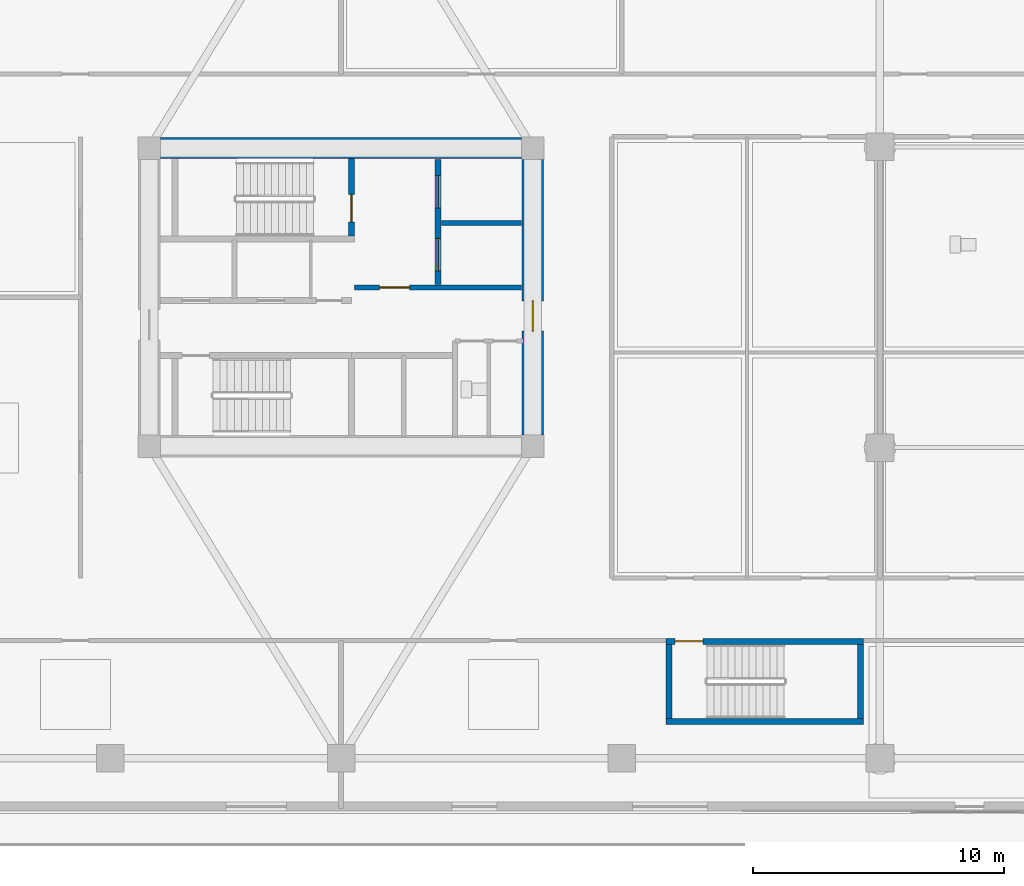
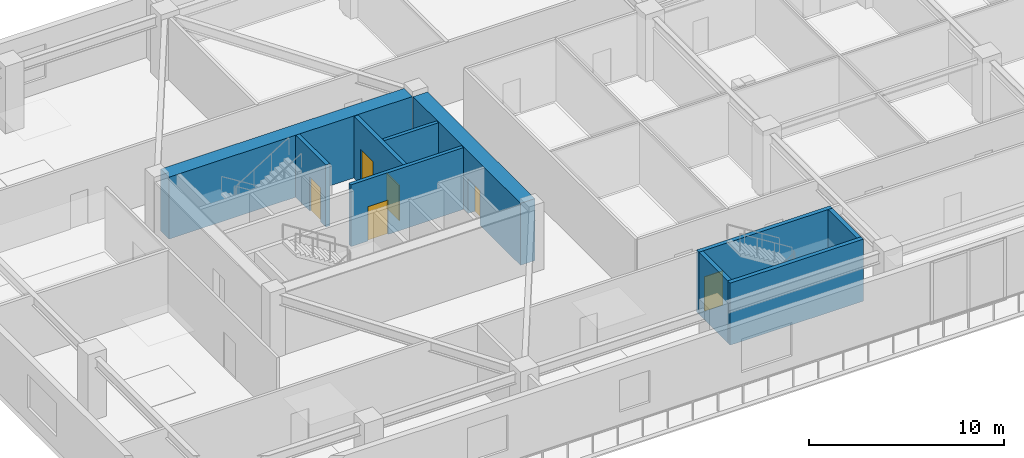
# One storey, part 5 of 22: 10 walls, 6 doors, 6 openings.
"""IFC4 building model written with IfcOpenShell, lengths in metres."""

import ifcopenshell
import ifcopenshell.guid

model = None  # the IFC model being written
_history = None  # IfcOwnerHistory: only IFC2X3 demands one
_inside = {}  # id of a spatial element -> (the spatial element, [elements in it])
_under = {}  # id of a project, library or spatial element -> (it, [spatial elements below it])
_declared = {}  # id of a project -> (the project, [libraries it declares])
_typed = {}  # id of a type object -> (the type object, [elements of that type])
_made_of = {}  # id of a material, layer set ... -> (it, [elements and type objects made of it])


def new_model(schema):
    """Start an empty IFC model of exactly this schema.

    Asked for "IFC4X3", IfcOpenShell would pick the latest addendum, in which some entities
    have other attributes; the version numbers below select the first issue.
    IFC2X3 requires an IfcOwnerHistory on every rooted entity: one is made here for all.
    """
    global model, _history
    if schema == "IFC4X3":
        model = ifcopenshell.file(schema_version=(4, 3, 0, 0))
    else:
        model = ifcopenshell.file(schema=schema)
    _inside.clear()
    _under.clear()
    _declared.clear()
    _typed.clear()
    _made_of.clear()
    _history = None
    if model.schema == "IFC2X3":
        org = make("IfcOrganization", Name="unknown")
        user = make(
            "IfcPersonAndOrganization",
            ThePerson=make("IfcPerson", FamilyName="unknown"),
            TheOrganization=org,
        )
        app = make(
            "IfcApplication",
            ApplicationDeveloper=org,
            Version="unknown",
            ApplicationFullName="unknown",
            ApplicationIdentifier="unknown",
        )
        _history = make(
            "IfcOwnerHistory",
            OwningUser=user,
            OwningApplication=app,
            ChangeAction="ADDED",
            CreationDate=0,
        )
    return model


def make(cls, **values):
    """One entity of the class cls with the attributes given. An attribute that is None is left unset."""
    return model.create_entity(
        cls, **{name: value for name, value in values.items() if value is not None}
    )


def rooted(cls, **values):
    """An entity with a GlobalId (a new one), such as an element, a storey or a relation."""
    return make(cls, GlobalId=ifcopenshell.guid.new(), OwnerHistory=_history, **values)


def si_unit(unit_type, name, prefix=None):
    """IfcSIUnit, for example si_unit("LENGTHUNIT", "METRE", prefix="MILLI")."""
    return make("IfcSIUnit", UnitType=unit_type, Prefix=prefix, Name=name)


def assignment(units):
    """IfcUnitAssignment: the units of a project."""
    return None if units is None else make("IfcUnitAssignment", Units=units)


def point(xyz):
    """IfcCartesianPoint."""
    return None if xyz is None else make("IfcCartesianPoint", Coordinates=xyz)


def direction(xyz):
    """IfcDirection."""
    return None if xyz is None else make("IfcDirection", DirectionRatios=xyz)


def frame(location, z_axis=None, x_axis=None):
    """IfcAxis2Placement3D, a coordinate frame: its origin and axes. An axis left out is left unset."""
    return make(
        "IfcAxis2Placement3D",
        Location=point(location),
        Axis=direction(z_axis),
        RefDirection=direction(x_axis),
    )


def frame_2d(location, x_axis=None):
    """IfcAxis2Placement2D, a coordinate frame in the plane: its origin and x axis."""
    return make(
        "IfcAxis2Placement2D", Location=point(location), RefDirection=direction(x_axis)
    )


def origin():
    """The frame at (0, 0, 0) with its axes left unset."""
    return frame((0.0, 0.0, 0.0))


def place(relative_to, where):
    """IfcLocalPlacement: puts the frame where relative to a parent placement (None: the world)."""
    return make(
        "IfcLocalPlacement", PlacementRelTo=relative_to, RelativePlacement=where
    )


def context(
    kind, dimensions, precision=None, world=None, true_north=None, identifier=None
):
    """IfcGeometricRepresentationContext, for example the 3D "Model" context."""
    return make(
        "IfcGeometricRepresentationContext",
        ContextIdentifier=identifier,
        ContextType=kind,
        CoordinateSpaceDimension=dimensions,
        Precision=precision,
        WorldCoordinateSystem=world,
        TrueNorth=true_north,
    )


def subcontext(parent, identifier, kind, view, scale=None):
    """IfcGeometricRepresentationSubContext, for example "Body" below "Model"."""
    return make(
        "IfcGeometricRepresentationSubContext",
        ContextIdentifier=identifier,
        ContextType=kind,
        ParentContext=parent,
        TargetScale=scale,
        TargetView=view,
    )


def project(units=None, contexts=None):
    """IfcProject with its units and contexts."""
    return rooted(
        "IfcProject",
        Name="project",
        RepresentationContexts=contexts,
        UnitsInContext=assignment(units),
    )


def spatial(cls, under=None, at=None, **own):
    """A site, building, storey or space (cls), placed at a placement, below another one or the project."""
    s = rooted(cls, ObjectPlacement=at, **own)
    if under is not None:
        _under.setdefault(under.id(), (under, []))[1].append(s)
    return s


def profile(cls, at=None, kind="AREA", **sizes):
    """A parametric profile (cls). Its sizes go by their IFC names, for example OverallWidth=200.0."""
    return make(cls, ProfileType=kind, Position=at, **sizes)


def rectangle(**sizes):
    """IfcRectangleProfileDef."""
    return profile("IfcRectangleProfileDef", **sizes)


def extrude(swept, where, along, depth):
    """IfcExtrudedAreaSolid: the profile swept, set in the frame where, extruded along a direction by depth."""
    return make(
        "IfcExtrudedAreaSolid",
        SweptArea=swept,
        Position=where,
        ExtrudedDirection=direction(along),
        Depth=depth,
    )


def shape(context_of_items, identifier, shape_type, items):
    """IfcShapeRepresentation: the items that make up one representation, for example the "Body"."""
    return make(
        "IfcShapeRepresentation",
        ContextOfItems=context_of_items,
        RepresentationIdentifier=identifier,
        RepresentationType=shape_type,
        Items=items,
    )


def source(mapping_origin, context_of_items, identifier, shape_type, items):
    """IfcRepresentationMap: a shape defined once, which mapped items show again and again."""
    return make(
        "IfcRepresentationMap",
        MappingOrigin=mapping_origin,
        MappedRepresentation=shape(context_of_items, identifier, shape_type, items),
    )


def transform(
    local_origin,
    x_axis=None,
    y_axis=None,
    z_axis=None,
    scale=None,
    scale2=None,
    scale3=None,
    uniform=True,
):
    """IfcCartesianTransformationOperator3D, or its non-uniform kind. x_axis, y_axis, z_axis: its Axis1, 2, 3."""
    if uniform:
        return make(
            "IfcCartesianTransformationOperator3D",
            Axis1=direction(x_axis),
            Axis2=direction(y_axis),
            LocalOrigin=point(local_origin),
            Scale=scale,
            Axis3=direction(z_axis),
        )
    return make(
        "IfcCartesianTransformationOperator3DnonUniform",
        Axis1=direction(x_axis),
        Axis2=direction(y_axis),
        LocalOrigin=point(local_origin),
        Scale=scale,
        Axis3=direction(z_axis),
        Scale2=scale2,
        Scale3=scale3,
    )


def mapped(mapping_source, mapping_target):
    """IfcMappedItem: shows the shape of a source again, moved by a transform."""
    return make(
        "IfcMappedItem", MappingSource=mapping_source, MappingTarget=mapping_target
    )


def material(Name=None, Category=None):
    """IfcMaterial."""
    return make("IfcMaterial", Name=Name, Category=Category)


def layer(
    of_material, thickness, ventilated=None, Name=None, Category=None, Priority=None
):
    """IfcMaterialLayer: one layer of a wall or slab, of a material (None: an air gap)."""
    return make(
        "IfcMaterialLayer",
        Material=of_material,
        LayerThickness=thickness,
        IsVentilated=ventilated,
        Name=Name,
        Category=Category,
        Priority=Priority,
    )


def layer_set(layers, Name=None):
    """IfcMaterialLayerSet."""
    return make("IfcMaterialLayerSet", MaterialLayers=layers, LayerSetName=Name)


def made_of(thing, what):
    """Note that an element or type object is made of a material, layer set ...; save() writes the relation."""
    if what is not None:
        _made_of.setdefault(what.id(), (what, []))[1].append(thing)
    return thing


def type_object(cls, material=None, **own):
    """A type object (cls), such as IfcWallType, which elements share."""
    return made_of(rooted(cls, **own), material)


def type_shapes(of_type, sources):
    """Give a type object the sources (RepresentationMaps) that its elements show as mapped items."""
    of_type.RepresentationMaps = sources


def element(
    cls,
    number,
    at=None,
    inside=None,
    cuts=None,
    type_object=None,
    material=None,
    context=None,
    identifier="Body",
    shape_type=None,
    held_by="IfcProductDefinitionShape",
    body=None,
    shapes=None,
    **own,
):
    """One element of the class cls, such as IfcWall. Its Tag is "e" and its number.

    at: its placement. inside: the storey or other place that contains it. cuts: it is an
    opening in that element (IfcRelVoidsElement). A single representation is given by context,
    identifier, shape_type and body (its items); several are given by shapes. held_by: the class
    of the entity that holds the representations. save() writes the other relations.
    """
    e = rooted(cls, Tag="e%d" % number, ObjectPlacement=at, **own)
    if body is not None:
        shapes = [shape(context, identifier, shape_type, body)]
    if shapes is not None:
        e.Representation = make(held_by, Representations=shapes)
    if inside is not None:
        _inside.setdefault(inside.id(), (inside, []))[1].append(e)
    if cuts is not None:
        rooted(
            "IfcRelVoidsElement", RelatingBuildingElement=cuts, RelatedOpeningElement=e
        )
    if type_object is not None:
        _typed.setdefault(type_object.id(), (type_object, []))[1].append(e)
    return made_of(e, material)


def fill(opening, filler):
    """IfcRelFillsElement: the door or window that sits in an opening."""
    return rooted(
        "IfcRelFillsElement",
        RelatingOpeningElement=opening,
        RelatedBuildingElement=filler,
    )


def aggregate(whole, parts):
    """IfcRelAggregates: a whole, such as a stair, and the parts it consists of."""
    return rooted("IfcRelAggregates", RelatingObject=whole, RelatedObjects=parts)


def save(model, path):
    """Write the relations noted so far, then the file.

    IfcRelAggregates (storeys below a building ...), IfcRelContainedInSpatialStructure (elements
    in a storey), IfcRelDefinesByType, IfcRelAssociatesMaterial and IfcRelDeclares: one each for
    every whole, place, type object, material and project.
    """
    for whole, parts in _under.values():
        aggregate(whole, parts)
    for where, things in _inside.values():
        rooted(
            "IfcRelContainedInSpatialStructure",
            RelatedElements=things,
            RelatingStructure=where,
        )
    for kind, things in _typed.values():
        rooted("IfcRelDefinesByType", RelatedObjects=things, RelatingType=kind)
    for what, things in _made_of.values():
        rooted("IfcRelAssociatesMaterial", RelatedObjects=things, RelatingMaterial=what)
    for by, libraries in _declared.values():
        rooted("IfcRelDeclares", RelatingContext=by, RelatedDefinitions=libraries)
    model.write(path)


model = new_model("IFC4")

# Units and contexts
model_context = context("Model", 3, precision=1e-05, world=origin(), true_north=direction((0.0, 1.0)))
body_context = subcontext(model_context, "Body", "Model", "MODEL_VIEW")
ifc_project = project(units=[si_unit("LENGTHUNIT", "METRE"), si_unit("AREAUNIT", "SQUARE_METRE"), si_unit("VOLUMEUNIT", "CUBIC_METRE"), si_unit("PLANEANGLEUNIT", "RADIAN"), si_unit("MASSUNIT", "GRAM", prefix="KILO")], contexts=[model_context])

# Site, building, storey
site_placement = place(None, origin())
site = spatial("IfcSite", under=ifc_project, at=site_placement, CompositionType="ELEMENT")
building_placement = place(site_placement, origin())
building = spatial("IfcBuilding", under=site, at=building_placement, Name="Norrkilde Senior Care Towers", CompositionType="ELEMENT")
storey_placement = place(building_placement, frame((0.0, 0.0, 12.60009765625)))
storey = spatial("IfcBuildingStorey", under=building, at=storey_placement, Name="L03", CompositionType="ELEMENT", Elevation=12.60009765625)

# Wall
ifc_material_1 = material(Name="Concrete C60/75", Category="concrete")
ifc_layer_1 = layer(ifc_material_1, 0.85009765625)
ifc_layer_set_1 = layer_set([ifc_layer_1], Name="Concrete C60/75")
wall_type_1 = type_object("IfcWallType", Name="Core Shear Wall Z1 850", PredefinedType="SHEAR", material=ifc_layer_set_1)
shared_shape_1 = source(origin(), body_context, "Body", "SweptSolid", [
    extrude(rectangle(XDim=14.39990234375, YDim=0.85009765625, at=frame_2d((7.199951171875, 0.0))), origin(), (0.0, 0.0, 1.0), 3.8798828125),
])
wall_1_placement = place(storey_placement, frame((-35.199951171875, 5.949951171875, 0.0), z_axis=(0.0, 0.0, 1.0), x_axis=(1.0, 0.0, 0.0)))
element("IfcWall", 1, at=wall_1_placement, inside=storey, type_object=wall_type_1, Name="L03 Core W North Shear Wall", PredefinedType="SHEAR", context=body_context, shape_type="MappedRepresentation", body=[
    mapped(shared_shape_1, transform((0.0, 0.0, 0.0), x_axis=(1.0, 0.0, 0.0), y_axis=(0.0, 1.0, 0.0), z_axis=(0.0, 0.0, 1.0), scale=1.0)),
])

# Wall, opening, door
shared_shape_2 = source(origin(), body_context, "Body", "SweptSolid", [
    extrude(rectangle(XDim=11.0, YDim=0.85009765625, at=frame_2d((5.5, 0.0))), origin(), (0.0, 0.0, 1.0), 3.8798828125),
])
type_shapes(wall_type_1, [shared_shape_1, shared_shape_2])
wall_2_placement = place(storey_placement, frame((-20.35009765625, 5.5, 0.0), z_axis=(0.0, 0.0, 1.0), x_axis=(0.0, -1.0, 0.0)))
wall_2 = element("IfcWall", 2, at=wall_2_placement, inside=storey, type_object=wall_type_1, Name="L03 Core W East Shear Wall", PredefinedType="SHEAR", context=body_context, shape_type="MappedRepresentation", body=[
    mapped(shared_shape_2, transform((0.0, 0.0, 0.0), x_axis=(1.0, 0.0, 0.0), y_axis=(0.0, 1.0, 0.0), z_axis=(0.0, 0.0, 1.0), scale=1.0)),
])
opening_1_placement = place(wall_2_placement, frame((5.64990234375, 0.0, 0.0)))
opening_1 = element("IfcOpeningElement", 3, at=opening_1_placement, cuts=wall_2, Name="Opening D-04", PredefinedType="OPENING", context=body_context, shape_type="SweptSolid", body=[
    extrude(rectangle(XDim=1.199951171875, YDim=2.14990234375, at=frame_2d((0.60009765625, 1.074951171875))), frame((0.0, 0.43505859375, 0.0), z_axis=(0.0, -1.0, 0.0), x_axis=(1.0, 0.0, 0.0)), (0.0, 0.0, 1.0), 0.8701171875),
])
ifc_material_2 = material(Name="Galvanised Painted Steel", Category="steel")
door_type_1 = type_object("IfcDoorType", Name="Firefighting Lobby Fire Door 1200x2150", OperationType="NOTDEFINED", PredefinedType="DOOR", material=ifc_material_2)
shared_shape_3 = source(origin(), body_context, "Body", "SweptSolid", [
    extrude(rectangle(XDim=1.199951171875, YDim=2.14990234375, at=frame_2d((0.60009765625, 1.074951171875))), frame((0.0, 0.02490234375, 0.0), z_axis=(0.0, -1.0, 0.0), x_axis=(1.0, 0.0, 0.0)), (0.0, 0.0, 1.0), 0.050048828125),
])
type_shapes(door_type_1, [shared_shape_3])
door_1_placement = place(opening_1_placement, frame((1.199951171875, 0.0, 0.0), z_axis=(0.0, 0.0, 1.0), x_axis=(-1.0, 0.0, 0.0)))
door_1 = element("IfcDoor", 4, at=door_1_placement, inside=storey, type_object=door_type_1, Name="L03 Core W East Portal Door", OperationType="SINGLE_SWING_RIGHT", OverallHeight=2.14990234375, OverallWidth=1.199951171875, PredefinedType="DOOR", context=body_context, shape_type="MappedRepresentation", body=[
    mapped(shared_shape_3, transform((0.0, 0.0, 0.0), x_axis=(1.0, 0.0, 0.0), y_axis=(0.0, 1.0, 0.0), z_axis=(0.0, 0.0, 1.0), scale=1.0)),
])
fill(opening_1, door_1)

ifc_material_3 = material(Name="Concrete C45/55", Category="concrete")
ifc_layer_2 = layer(ifc_material_3, 0.239990234375)
ifc_layer_set_2 = layer_set([ifc_layer_2], Name="Concrete C45/55")
wall_type_2 = type_object("IfcWallType", Name="Shaft and Stair Enclosure Wall 240", PredefinedType="PARTITIONING", material=ifc_layer_set_2)
shared_shape_4 = source(origin(), body_context, "Body", "SweptSolid", [
    extrude(rectangle(XDim=3.074951171875, YDim=0.239990234375, at=frame_2d((1.53759765625, 0.0))), origin(), (0.0, 0.0, 1.0), 3.8798828125),
])
wall_3_placement = place(storey_placement, frame((-27.580078125, 2.449951171875, 0.0), z_axis=(0.0, 0.0, 1.0), x_axis=(0.0, 1.0, 0.0)))
wall_3 = element("IfcWall", 5, at=wall_3_placement, inside=storey, type_object=wall_type_2, Name="WL-INT-L03-W-ST1E", PredefinedType="PARTITIONING", context=body_context, shape_type="MappedRepresentation", body=[
    mapped(shared_shape_4, transform((0.0, 0.0, 0.0), x_axis=(1.0, 0.0, 0.0), y_axis=(0.0, 1.0, 0.0), z_axis=(0.0, 0.0, 1.0), scale=1.0)),
])
opening_2_placement = place(wall_3_placement, frame((0.550048828125, 0.0, 0.0)))
opening_2 = element("IfcOpeningElement", 6, at=opening_2_placement, cuts=wall_3, Name="Opening D-03", PredefinedType="OPENING", context=body_context, shape_type="SweptSolid", body=[
    extrude(rectangle(XDim=1.10009765625, YDim=2.14990234375, at=frame_2d((0.550048828125, 1.074951171875))), frame((0.0, 0.1298828125, 0.0), z_axis=(0.0, -1.0, 0.0), x_axis=(1.0, 0.0, 0.0)), (0.0, 0.0, 1.0), 0.260009765625),
])
door_type_2 = type_object("IfcDoorType", Name="Stairwell Protected Fire Door 1100x2150", OperationType="NOTDEFINED", PredefinedType="DOOR", material=ifc_material_2)
shared_shape_5 = source(origin(), body_context, "Body", "SweptSolid", [
    extrude(rectangle(XDim=1.10009765625, YDim=2.14990234375, at=frame_2d((0.550048828125, 1.074951171875))), frame((0.0, 0.02490234375, 0.0), z_axis=(0.0, -1.0, 0.0), x_axis=(1.0, 0.0, 0.0)), (0.0, 0.0, 1.0), 0.050048828125),
])
type_shapes(door_type_2, [shared_shape_5])
door_2_placement = place(opening_2_placement, origin())
door_2 = element("IfcDoor", 7, at=door_2_placement, inside=storey, type_object=door_type_2, Name="L03 Stair W1 Fire Door", OperationType="SINGLE_SWING_LEFT", OverallHeight=2.14990234375, OverallWidth=1.10009765625, PredefinedType="DOOR", context=body_context, shape_type="MappedRepresentation", body=[
    mapped(shared_shape_5, transform((0.0, 0.0, 0.0), x_axis=(1.0, 0.0, 0.0), y_axis=(0.0, 1.0, 0.0), z_axis=(0.0, 0.0, 1.0), scale=1.0)),
])
fill(opening_2, door_2)

# Wall, openings, doors
ifc_layer_3 = layer(ifc_material_3, 0.239990234375)
ifc_layer_set_3 = layer_set([ifc_layer_3], Name="Concrete C45/55")
wall_type_3 = type_object("IfcWallType", Name="Lift and Plant Rated Enclosure Partition 240", PredefinedType="PARTITIONING", material=ifc_layer_set_3)
shared_shape_6 = source(origin(), body_context, "Body", "SweptSolid", [
    extrude(rectangle(XDim=5.0, YDim=0.239990234375, at=frame_2d((2.5, 0.0))), origin(), (0.0, 0.0, 1.0), 3.864990234375),
])
type_shapes(wall_type_3, [shared_shape_6])
wall_4_placement = place(storey_placement, frame((-24.139892578125, 0.5, 0.0), z_axis=(0.0, 0.0, 1.0), x_axis=(0.0, 1.0, 0.0)))
wall_4 = element("IfcWall", 8, at=wall_4_placement, inside=storey, type_object=wall_type_3, Name="WL-INT-L03-W-FFLE", PredefinedType="PARTITIONING", context=body_context, shape_type="MappedRepresentation", body=[
    mapped(shared_shape_6, transform((0.0, 0.0, 0.0), x_axis=(1.0, 0.0, 0.0), y_axis=(0.0, 1.0, 0.0), z_axis=(0.0, 0.0, 1.0), scale=1.0)),
])
opening_3_placement = place(wall_4_placement, frame((3.050048828125, 0.0, 0.0)))
opening_3 = element("IfcOpeningElement", 9, at=opening_3_placement, cuts=wall_4, Name="Opening LD-02", PredefinedType="OPENING", context=body_context, shape_type="SweptSolid", body=[
    extrude(rectangle(XDim=1.300048828125, YDim=2.199951171875, at=frame_2d((0.64990234375, 1.10009765625))), frame((0.0, 0.1298828125, 0.0), z_axis=(0.0, -1.0, 0.0), x_axis=(1.0, 0.0, 0.0)), (0.0, 0.0, 1.0), 0.260009765625),
])
opening_4_placement = place(wall_4_placement, frame((0.550048828125, 0.0, 0.0)))
opening_4 = element("IfcOpeningElement", 10, at=opening_4_placement, cuts=wall_4, Name="Opening LD-02", PredefinedType="OPENING", context=body_context, shape_type="SweptSolid", body=[
    extrude(rectangle(XDim=1.300048828125, YDim=2.199951171875, at=frame_2d((0.64990234375, 1.10009765625))), frame((0.0, 0.1298828125, 0.0), z_axis=(0.0, -1.0, 0.0), x_axis=(1.0, 0.0, 0.0)), (0.0, 0.0, 1.0), 0.260009765625),
])
ifc_material_4 = material(Name="Stainless Steel", Category="steel")
door_type_3 = type_object("IfcDoorType", Name="Stretcher and FFL Landing Sliding Door 1300x2200", OperationType="NOTDEFINED", PredefinedType="DOOR", material=ifc_material_4)
shared_shape_7 = source(origin(), body_context, "Body", "SweptSolid", [
    extrude(rectangle(XDim=1.300048828125, YDim=2.199951171875, at=frame_2d((0.64990234375, 1.10009765625))), frame((0.0, 0.02490234375, 0.0), z_axis=(0.0, -1.0, 0.0), x_axis=(1.0, 0.0, 0.0)), (0.0, 0.0, 1.0), 0.050048828125),
])
type_shapes(door_type_3, [shared_shape_7])
door_3_placement = place(opening_3_placement, origin())
door_3 = element("IfcDoor", 11, at=door_3_placement, inside=storey, type_object=door_type_3, Name="L03 Firefighting Lift W1 Landing Door", OperationType="SLIDING_TO_LEFT", OverallHeight=2.199951171875, OverallWidth=1.300048828125, PredefinedType="DOOR", context=body_context, shape_type="MappedRepresentation", body=[
    mapped(shared_shape_7, transform((0.0, 0.0, 0.0), x_axis=(1.0, 0.0, 0.0), y_axis=(0.0, 1.0, 0.0), z_axis=(0.0, 0.0, 1.0), scale=1.0)),
])
fill(opening_3, door_3)
door_4_placement = place(opening_4_placement, origin())
door_4 = element("IfcDoor", 12, at=door_4_placement, inside=storey, type_object=door_type_3, Name="L03 Stretcher Lift W1 Landing Door", OperationType="SLIDING_TO_RIGHT", OverallHeight=2.199951171875, OverallWidth=1.300048828125, PredefinedType="DOOR", context=body_context, shape_type="MappedRepresentation", body=[
    mapped(shared_shape_7, transform((0.0, 0.0, 0.0), x_axis=(1.0, 0.0, 0.0), y_axis=(0.0, 1.0, 0.0), z_axis=(0.0, 0.0, 1.0), scale=1.0)),
])
fill(opening_4, door_4)

# Wall
ifc_layer_4 = layer(ifc_material_3, 0.199951171875)
ifc_layer_set_4 = layer_set([ifc_layer_4], Name="Concrete C45/55")
wall_type_4 = type_object("IfcWallType", Name="Shaft Division and Plant Partition 200", PredefinedType="PARTITIONING", material=ifc_layer_set_4)
shared_shape_8 = source(origin(), body_context, "Body", "SweptSolid", [
    extrude(rectangle(XDim=3.199951171875, YDim=0.199951171875, at=frame_2d((1.60009765625, 0.0))), origin(), (0.0, 0.0, 1.0), 3.864990234375),
])
type_shapes(wall_type_4, [shared_shape_8])
wall_5_placement = place(storey_placement, frame((-24.0, 2.949951171875, 0.0), z_axis=(0.0, 0.0, 1.0), x_axis=(1.0, 0.0, 0.0)))
element("IfcWall", 13, at=wall_5_placement, inside=storey, type_object=wall_type_4, Name="WL-INT-L03-W-FFLDIV", PredefinedType="PARTITIONING", context=body_context, shape_type="MappedRepresentation", body=[
    mapped(shared_shape_8, transform((0.0, 0.0, 0.0), x_axis=(1.0, 0.0, 0.0), y_axis=(0.0, 1.0, 0.0), z_axis=(0.0, 0.0, 1.0), scale=1.0)),
])

# Wall, opening, door
ifc_layer_5 = layer(ifc_material_3, 0.2099609375)
ifc_layer_set_5 = layer_set([ifc_layer_5], Name="Concrete C45/55")
wall_type_5 = type_object("IfcWallType", Name="Firefighting Lobby Wall 210", PredefinedType="PARTITIONING", material=ifc_layer_set_5)
shared_shape_9 = source(origin(), body_context, "Body", "SweptSolid", [
    extrude(rectangle(XDim=6.659912109375, YDim=0.2099609375, at=frame_2d((3.330078125, 0.0))), origin(), (0.0, 0.0, 1.0), 3.864990234375),
])
type_shapes(wall_type_5, [shared_shape_9])
wall_6_placement = place(storey_placement, frame((-27.4599609375, 0.389892578125, 0.0), z_axis=(0.0, 0.0, 1.0), x_axis=(1.0, 0.0, 0.0)))
wall_6 = element("IfcWall", 14, at=wall_6_placement, inside=storey, type_object=wall_type_5, Name="WL-INT-L03-W-FFLS", PredefinedType="PARTITIONING", context=body_context, shape_type="MappedRepresentation", body=[
    mapped(shared_shape_9, transform((0.0, 0.0, 0.0), x_axis=(1.0, 0.0, 0.0), y_axis=(0.0, 1.0, 0.0), z_axis=(0.0, 0.0, 1.0), scale=1.0)),
])
opening_5_placement = place(wall_6_placement, frame((1.0, 0.0, 0.0)))
opening_5 = element("IfcOpeningElement", 15, at=opening_5_placement, cuts=wall_6, Name="Opening D-04", PredefinedType="OPENING", context=body_context, shape_type="SweptSolid", body=[
    extrude(rectangle(XDim=1.199951171875, YDim=2.14990234375, at=frame_2d((0.60009765625, 1.074951171875))), frame((0.0, 0.114990234375, 0.0), z_axis=(0.0, -1.0, 0.0), x_axis=(1.0, 0.0, 0.0)), (0.0, 0.0, 1.0), 0.22998046875),
])
door_5_placement = place(opening_5_placement, frame((1.199951171875, 0.0, 0.0), z_axis=(0.0, 0.0, 1.0), x_axis=(-1.0, 0.0, 0.0)))
door_5 = element("IfcDoor", 16, at=door_5_placement, inside=storey, type_object=door_type_1, Name="L03 Firefighting Lobby W Door", OperationType="SINGLE_SWING_LEFT", OverallHeight=2.14990234375, OverallWidth=1.199951171875, PredefinedType="DOOR", context=body_context, shape_type="MappedRepresentation", body=[
    mapped(shared_shape_3, transform((0.0, 0.0, 0.0), x_axis=(1.0, 0.0, 0.0), y_axis=(0.0, 1.0, 0.0), z_axis=(0.0, 0.0, 1.0), scale=1.0)),
])
fill(opening_5, door_5)

shared_shape_10 = source(origin(), body_context, "Body", "SweptSolid", [
    extrude(rectangle(XDim=7.880126953125, YDim=0.239990234375, at=frame_2d((3.93994140625, 0.0))), origin(), (0.0, 0.0, 1.0), 3.8798828125),
])
wall_7_placement = place(storey_placement, frame((-15.0400390625, -13.72998046875, 0.0), z_axis=(0.0, 0.0, 1.0), x_axis=(1.0, 0.0, 0.0)))
wall_7 = element("IfcWall", 17, at=wall_7_placement, inside=storey, type_object=wall_type_2, Name="WL-INT-L03-STP1-N", PredefinedType="PARTITIONING", context=body_context, shape_type="MappedRepresentation", body=[
    mapped(shared_shape_10, transform((0.0, 0.0, 0.0), x_axis=(1.0, 0.0, 0.0), y_axis=(0.0, 1.0, 0.0), z_axis=(0.0, 0.0, 1.0), scale=1.0)),
])
opening_6_placement = place(wall_7_placement, frame((0.3701171875, 0.0, 0.0)))
opening_6 = element("IfcOpeningElement", 18, at=opening_6_placement, cuts=wall_7, Name="Opening D-03", PredefinedType="OPENING", context=body_context, shape_type="SweptSolid", body=[
    extrude(rectangle(XDim=1.10009765625, YDim=2.14990234375, at=frame_2d((0.550048828125, 1.074951171875))), frame((0.0, 0.1298828125, 0.0), z_axis=(0.0, -1.0, 0.0), x_axis=(1.0, 0.0, 0.0)), (0.0, 0.0, 1.0), 0.260009765625),
])
door_6_placement = place(opening_6_placement, origin())
door_6 = element("IfcDoor", 19, at=door_6_placement, inside=storey, type_object=door_type_2, Name="L03 Podium Stair P1 Door", OperationType="SINGLE_SWING_LEFT", OverallHeight=2.14990234375, OverallWidth=1.10009765625, PredefinedType="DOOR", context=body_context, shape_type="MappedRepresentation", body=[
    mapped(shared_shape_5, transform((0.0, 0.0, 0.0), x_axis=(1.0, 0.0, 0.0), y_axis=(0.0, 1.0, 0.0), z_axis=(0.0, 0.0, 1.0), scale=1.0)),
])
fill(opening_6, door_6)

# Walls
wall_8_placement = place(storey_placement, frame((-15.0400390625, -16.919921875, 0.0), z_axis=(0.0, 0.0, 1.0), x_axis=(1.0, 0.0, 0.0)))
element("IfcWall", 20, at=wall_8_placement, inside=storey, type_object=wall_type_2, Name="WL-INT-L03-STP1-S", PredefinedType="PARTITIONING", context=body_context, shape_type="MappedRepresentation", body=[
    mapped(shared_shape_10, transform((0.0, 0.0, 0.0), x_axis=(1.0, 0.0, 0.0), y_axis=(0.0, 1.0, 0.0), z_axis=(0.0, 0.0, 1.0), scale=1.0)),
])
shared_shape_11 = source(origin(), body_context, "Body", "SweptSolid", [
    extrude(rectangle(XDim=2.949951171875, YDim=0.239990234375, at=frame_2d((1.47509765625, 0.0))), origin(), (0.0, 0.0, 1.0), 3.8798828125),
])
type_shapes(wall_type_2, [shared_shape_4, shared_shape_10, shared_shape_11])
for number, where, z_axis, x_axis, name in (
    (21, (-14.919921875, -16.800048828125, 0.0), (0.0, 0.0, 1.0), (0.0, 1.0, 0.0), "WL-INT-L03-STP1-W"),
    (22, (-7.280029296875, -16.800048828125, 0.0), (0.0, 0.0, 1.0), (0.0, 1.0, 0.0), "WL-INT-L03-STP1-E"),
):
    element("IfcWall", number, at=place(storey_placement, frame(where, z_axis=z_axis, x_axis=x_axis)), inside=storey, type_object=wall_type_2, Name=name, PredefinedType="PARTITIONING", context=body_context, shape_type="MappedRepresentation", body=[
        mapped(shared_shape_11, transform((0.0, 0.0, 0.0), x_axis=(1.0, 0.0, 0.0), y_axis=(0.0, 1.0, 0.0), z_axis=(0.0, 0.0, 1.0), scale=1.0)),
    ])

save(model, "model.ifc")
